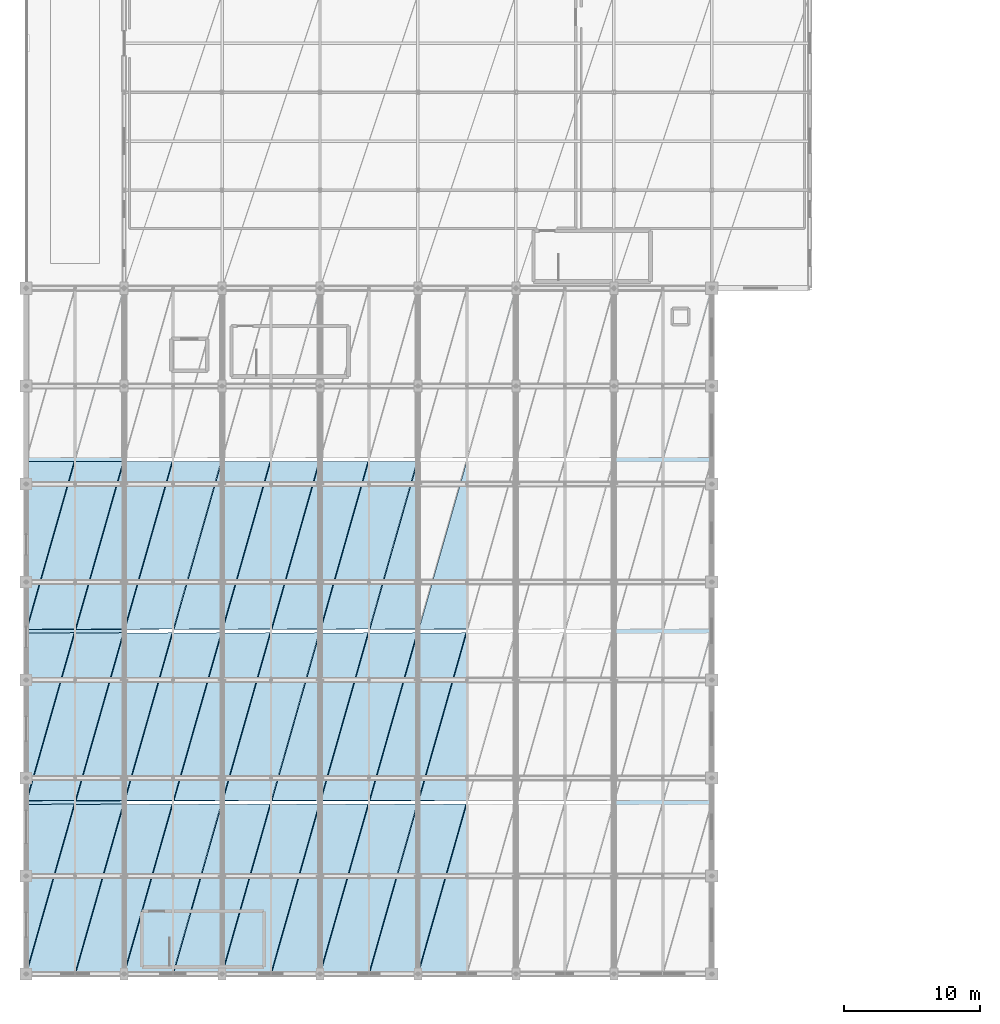
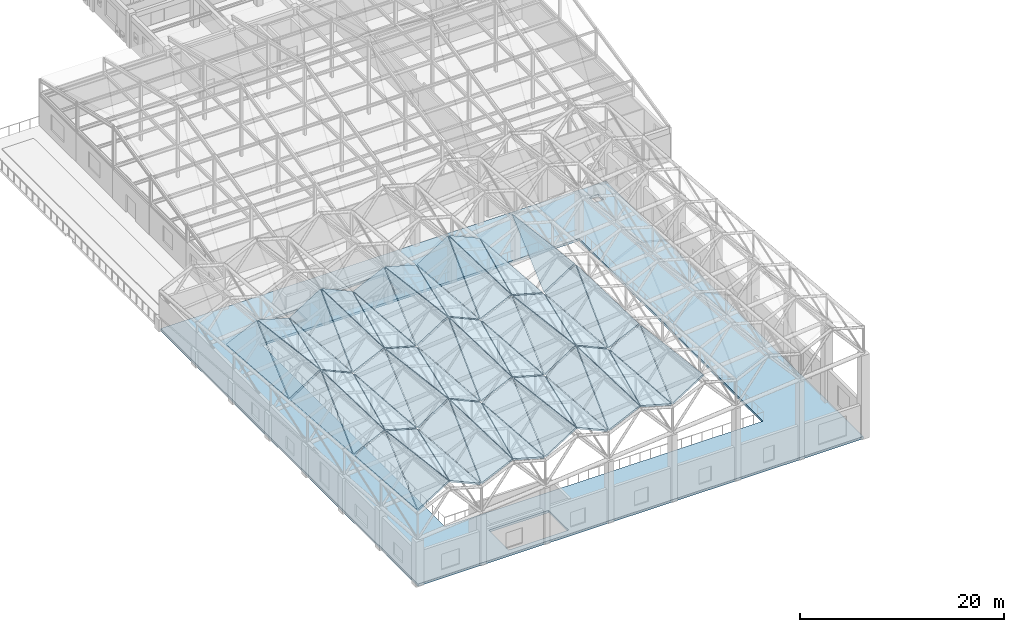
# One storey, part 65 of 113: 54 slabs.
"""IFC4 building model written with IfcOpenShell, lengths in metres."""

import ifcopenshell
import ifcopenshell.guid

model = None  # the IFC model being written
_history = None  # IfcOwnerHistory: only IFC2X3 demands one
_inside = {}  # id of a spatial element -> (the spatial element, [elements in it])
_under = {}  # id of a project, library or spatial element -> (it, [spatial elements below it])
_declared = {}  # id of a project -> (the project, [libraries it declares])
_typed = {}  # id of a type object -> (the type object, [elements of that type])
_made_of = {}  # id of a material, layer set ... -> (it, [elements and type objects made of it])


def new_model(schema):
    """Start an empty IFC model of exactly this schema.

    Asked for "IFC4X3", IfcOpenShell would pick the latest addendum, in which some entities
    have other attributes; the version numbers below select the first issue.
    IFC2X3 requires an IfcOwnerHistory on every rooted entity: one is made here for all.
    """
    global model, _history
    if schema == "IFC4X3":
        model = ifcopenshell.file(schema_version=(4, 3, 0, 0))
    else:
        model = ifcopenshell.file(schema=schema)
    _inside.clear()
    _under.clear()
    _declared.clear()
    _typed.clear()
    _made_of.clear()
    _history = None
    if model.schema == "IFC2X3":
        org = make("IfcOrganization", Name="unknown")
        user = make(
            "IfcPersonAndOrganization",
            ThePerson=make("IfcPerson", FamilyName="unknown"),
            TheOrganization=org,
        )
        app = make(
            "IfcApplication",
            ApplicationDeveloper=org,
            Version="unknown",
            ApplicationFullName="unknown",
            ApplicationIdentifier="unknown",
        )
        _history = make(
            "IfcOwnerHistory",
            OwningUser=user,
            OwningApplication=app,
            ChangeAction="ADDED",
            CreationDate=0,
        )
    return model


def make(cls, **values):
    """One entity of the class cls with the attributes given. An attribute that is None is left unset."""
    return model.create_entity(
        cls, **{name: value for name, value in values.items() if value is not None}
    )


def rooted(cls, **values):
    """An entity with a GlobalId (a new one), such as an element, a storey or a relation."""
    return make(cls, GlobalId=ifcopenshell.guid.new(), OwnerHistory=_history, **values)


def si_unit(unit_type, name, prefix=None):
    """IfcSIUnit, for example si_unit("LENGTHUNIT", "METRE", prefix="MILLI")."""
    return make("IfcSIUnit", UnitType=unit_type, Prefix=prefix, Name=name)


def assignment(units):
    """IfcUnitAssignment: the units of a project."""
    return None if units is None else make("IfcUnitAssignment", Units=units)


def point(xyz):
    """IfcCartesianPoint."""
    return None if xyz is None else make("IfcCartesianPoint", Coordinates=xyz)


def direction(xyz):
    """IfcDirection."""
    return None if xyz is None else make("IfcDirection", DirectionRatios=xyz)


def frame(location, z_axis=None, x_axis=None):
    """IfcAxis2Placement3D, a coordinate frame: its origin and axes. An axis left out is left unset."""
    return make(
        "IfcAxis2Placement3D",
        Location=point(location),
        Axis=direction(z_axis),
        RefDirection=direction(x_axis),
    )


def origin():
    """The frame at (0, 0, 0) with its axes left unset."""
    return frame((0.0, 0.0, 0.0))


def place(relative_to, where):
    """IfcLocalPlacement: puts the frame where relative to a parent placement (None: the world)."""
    return make(
        "IfcLocalPlacement", PlacementRelTo=relative_to, RelativePlacement=where
    )


def context(
    kind, dimensions, precision=None, world=None, true_north=None, identifier=None
):
    """IfcGeometricRepresentationContext, for example the 3D "Model" context."""
    return make(
        "IfcGeometricRepresentationContext",
        ContextIdentifier=identifier,
        ContextType=kind,
        CoordinateSpaceDimension=dimensions,
        Precision=precision,
        WorldCoordinateSystem=world,
        TrueNorth=true_north,
    )


def subcontext(parent, identifier, kind, view, scale=None):
    """IfcGeometricRepresentationSubContext, for example "Body" below "Model"."""
    return make(
        "IfcGeometricRepresentationSubContext",
        ContextIdentifier=identifier,
        ContextType=kind,
        ParentContext=parent,
        TargetScale=scale,
        TargetView=view,
    )


def project(units=None, contexts=None):
    """IfcProject with its units and contexts."""
    return rooted(
        "IfcProject",
        Name="project",
        RepresentationContexts=contexts,
        UnitsInContext=assignment(units),
    )


def spatial(cls, under=None, at=None, **own):
    """A site, building, storey or space (cls), placed at a placement, below another one or the project."""
    s = rooted(cls, ObjectPlacement=at, **own)
    if under is not None:
        _under.setdefault(under.id(), (under, []))[1].append(s)
    return s


def polyline(points):
    """IfcPolyline through the points."""
    return make("IfcPolyline", Points=[point(p) for p in points])


def outline(outer, holes=None, kind="AREA"):
    """IfcArbitraryClosedProfileDef: a profile drawn as a closed curve; with holes, ...WithVoids."""
    if holes is None:
        return make("IfcArbitraryClosedProfileDef", ProfileType=kind, OuterCurve=outer)
    return make(
        "IfcArbitraryProfileDefWithVoids",
        ProfileType=kind,
        OuterCurve=outer,
        InnerCurves=holes,
    )


def extrude(swept, where, along, depth):
    """IfcExtrudedAreaSolid: the profile swept, set in the frame where, extruded along a direction by depth."""
    return make(
        "IfcExtrudedAreaSolid",
        SweptArea=swept,
        Position=where,
        ExtrudedDirection=direction(along),
        Depth=depth,
    )


def shape(context_of_items, identifier, shape_type, items):
    """IfcShapeRepresentation: the items that make up one representation, for example the "Body"."""
    return make(
        "IfcShapeRepresentation",
        ContextOfItems=context_of_items,
        RepresentationIdentifier=identifier,
        RepresentationType=shape_type,
        Items=items,
    )


def material(Name=None, Category=None):
    """IfcMaterial."""
    return make("IfcMaterial", Name=Name, Category=Category)


def layer(
    of_material, thickness, ventilated=None, Name=None, Category=None, Priority=None
):
    """IfcMaterialLayer: one layer of a wall or slab, of a material (None: an air gap)."""
    return make(
        "IfcMaterialLayer",
        Material=of_material,
        LayerThickness=thickness,
        IsVentilated=ventilated,
        Name=Name,
        Category=Category,
        Priority=Priority,
    )


def layer_set(layers, Name=None):
    """IfcMaterialLayerSet."""
    return make("IfcMaterialLayerSet", MaterialLayers=layers, LayerSetName=Name)


def made_of(thing, what):
    """Note that an element or type object is made of a material, layer set ...; save() writes the relation."""
    if what is not None:
        _made_of.setdefault(what.id(), (what, []))[1].append(thing)
    return thing


def type_object(cls, material=None, **own):
    """A type object (cls), such as IfcWallType, which elements share."""
    return made_of(rooted(cls, **own), material)


def element(
    cls,
    number,
    at=None,
    inside=None,
    cuts=None,
    type_object=None,
    material=None,
    context=None,
    identifier="Body",
    shape_type=None,
    held_by="IfcProductDefinitionShape",
    body=None,
    shapes=None,
    **own,
):
    """One element of the class cls, such as IfcWall. Its Tag is "e" and its number.

    at: its placement. inside: the storey or other place that contains it. cuts: it is an
    opening in that element (IfcRelVoidsElement). A single representation is given by context,
    identifier, shape_type and body (its items); several are given by shapes. held_by: the class
    of the entity that holds the representations. save() writes the other relations.
    """
    e = rooted(cls, Tag="e%d" % number, ObjectPlacement=at, **own)
    if body is not None:
        shapes = [shape(context, identifier, shape_type, body)]
    if shapes is not None:
        e.Representation = make(held_by, Representations=shapes)
    if inside is not None:
        _inside.setdefault(inside.id(), (inside, []))[1].append(e)
    if cuts is not None:
        rooted(
            "IfcRelVoidsElement", RelatingBuildingElement=cuts, RelatedOpeningElement=e
        )
    if type_object is not None:
        _typed.setdefault(type_object.id(), (type_object, []))[1].append(e)
    return made_of(e, material)


def aggregate(whole, parts):
    """IfcRelAggregates: a whole, such as a stair, and the parts it consists of."""
    return rooted("IfcRelAggregates", RelatingObject=whole, RelatedObjects=parts)


def save(model, path):
    """Write the relations noted so far, then the file.

    IfcRelAggregates (storeys below a building ...), IfcRelContainedInSpatialStructure (elements
    in a storey), IfcRelDefinesByType, IfcRelAssociatesMaterial and IfcRelDeclares: one each for
    every whole, place, type object, material and project.
    """
    for whole, parts in _under.values():
        aggregate(whole, parts)
    for where, things in _inside.values():
        rooted(
            "IfcRelContainedInSpatialStructure",
            RelatedElements=things,
            RelatingStructure=where,
        )
    for kind, things in _typed.values():
        rooted("IfcRelDefinesByType", RelatedObjects=things, RelatingType=kind)
    for what, things in _made_of.values():
        rooted("IfcRelAssociatesMaterial", RelatedObjects=things, RelatingMaterial=what)
    for by, libraries in _declared.values():
        rooted("IfcRelDeclares", RelatingContext=by, RelatedDefinitions=libraries)
    model.write(path)


model = new_model("IFC4")

# Units and contexts
model_context = context("Model", 3, precision=1e-05, world=origin(), true_north=direction((0.0, 1.0)))
body_context = subcontext(model_context, "Body", "Model", "MODEL_VIEW")
ifc_project = project(units=[si_unit("LENGTHUNIT", "METRE"), si_unit("AREAUNIT", "SQUARE_METRE"), si_unit("VOLUMEUNIT", "CUBIC_METRE"), si_unit("PLANEANGLEUNIT", "RADIAN"), si_unit("MASSUNIT", "GRAM", prefix="KILO")], contexts=[model_context])

# Site, building, storey
site_placement = place(None, origin())
site = spatial("IfcSite", under=ifc_project, at=site_placement, CompositionType="ELEMENT")
building_placement = place(site_placement, origin())
building = spatial("IfcBuilding", under=site, at=building_placement, Name="Carrowvane Square Congress Hotel", CompositionType="ELEMENT")
storey_placement = place(building_placement, frame((0.0, 0.0, 15.0)))
storey = spatial("IfcBuildingStorey", under=building, at=storey_placement, Name="L03", CompositionType="ELEMENT", Elevation=15.0)

# Slabs
ifc_material_1 = material(Name="Concrete C35/45", Category="concrete")
ifc_layer_1 = layer(ifc_material_1, 0.280029296875)
ifc_layer_set_1 = layer_set([ifc_layer_1], Name="Concrete C35/45")
slab_type_1 = type_object("IfcSlabType", Name="SLB-FLR-280", PredefinedType="FLOOR", material=ifc_layer_set_1)
slab_1_placement = place(storey_placement, frame((0.0, 0.0, -0.280029296875)))
element("IfcSlab", 1, at=slab_1_placement, inside=storey, type_object=slab_type_1, Name="L03 V1 structural slab", PredefinedType="FLOOR", context=body_context, shape_type="SweptSolid", body=[
    extrude(outline(polyline([(11.60009765625, 5.39990234375), (62.0, 5.39990234375), (62.0, 55.800048828125), (11.60009765625, 55.800048828125), (11.60009765625, 5.39990234375)]), holes=[polyline([(28.6201171875, 49.39990234375), (35.199951171875, 49.39990234375), (35.199951171875, 52.919921875), (28.6201171875, 52.919921875), (28.6201171875, 49.39990234375)]), polyline([(22.239990234375, 6.0), (29.0, 6.0), (29.0, 9.89990234375), (22.239990234375, 9.89990234375), (22.239990234375, 6.0)]), polyline([(59.199951171875, 53.199951171875), (60.199951171875, 53.199951171875), (60.199951171875, 54.199951171875), (59.199951171875, 54.199951171875), (59.199951171875, 53.199951171875)]), polyline([(22.39990234375, 49.85009765625), (24.800048828125, 49.85009765625), (24.800048828125, 51.949951171875), (22.39990234375, 51.949951171875), (22.39990234375, 49.85009765625)]), polyline([(18.800048828125, 12.60009765625), (54.800048828125, 12.60009765625), (54.800048828125, 48.60009765625), (18.800048828125, 48.60009765625), (18.800048828125, 12.60009765625)])]), origin(), (0.0, 0.0, 1.0), 0.280029296875),
])
ifc_material_2 = material(Name="Concrete C35/45", Category="concrete")
ifc_layer_2 = layer(ifc_material_2, 0.179931640625)
ifc_layer_set_2 = layer_set([ifc_layer_2], Name="Concrete C35/45")
slab_type_2 = type_object("IfcSlabType", Name="SLB-ROOF-180", PredefinedType="ROOF", material=ifc_layer_set_2)
slab_2_placement = place(storey_placement, frame((11.671875, 5.52587890625, 8.82958984375), z_axis=(-0.531743494383, 0.106679020201, 0.840159772204), x_axis=(0.845163801275, 0.003253360097, 0.534497487985)))
element("IfcSlab", 2, at=slab_2_placement, inside=storey, type_object=slab_type_2, Name="Congress Hall triangular folded roof facet 1", PredefinedType="ROOF", context=body_context, shape_type="SweptSolid", body=[
    extrude(outline(polyline([(0.0, 0.0), (4.127343415248207, -2.7755575615628914e-17), (3.3543056166493694, 12.390425413414137), (0.0, 0.0)])), origin(), (0.0, 0.0, -1.0), 0.179931640625),
])
slab_3_placement = place(storey_placement, frame((11.62060546875, 5.54345703125, 8.798095703125), z_axis=(-0.421516894235, 0.071740536967, 0.903978320111), x_axis=(0.273248099524, 0.960581089618, 0.051180527307)))
element("IfcSlab", 3, at=slab_3_placement, inside=storey, type_object=slab_type_2, Name="Congress Hall triangular folded roof facet 2", PredefinedType="ROOF", context=body_context, shape_type="SweptSolid", body=[
    extrude(outline(polyline([(0.0, 0.0), (12.836570009051577, 8.881784197001252e-16), (11.78731201180269, 3.7026417853800484), (0.0, 0.0)])), origin(), (0.0, 0.0, -1.0), 0.179931640625),
])
slab_4_placement = place(storey_placement, frame((15.27197265625, 5.52587890625, 11.0361328125), z_axis=(0.409560661072, 0.072183156665, 0.909422705235), x_axis=(0.911691296801, 0.003509449981, -0.410860880466)))
element("IfcSlab", 4, at=slab_4_placement, inside=storey, type_object=slab_type_2, Name="Congress Hall triangular folded roof facet 3", PredefinedType="ROOF", context=body_context, shape_type="SweptSolid", body=[
    extrude(outline(polyline([(0.0, 0.0), (3.826164911564658, -1.3877787807814457e-17), (4.292218825262692, 12.347789841687437), (0.0, 0.0)])), origin(), (0.0, 0.0, -1.0), 0.179931640625),
])
slab_5_placement = place(storey_placement, frame((15.220458984375, 5.54345703125, 11.054443359375), z_axis=(0.27088462528, 0.121264781026, 0.954943125359), x_axis=(0.268306130741, 0.943208007183, -0.195883831373)))
element("IfcSlab", 5, at=slab_5_placement, inside=storey, type_object=slab_type_2, Name="Congress Hall triangular folded roof facet 4", PredefinedType="ROOF", context=body_context, shape_type="SweptSolid", body=[
    extrude(outline(polyline([(0.0, 0.0), (13.073008617771787, -5.551115123125783e-16), (11.930254029931314, 3.441641680614237), (0.0, 0.0)])), origin(), (0.0, 0.0, -1.0), 0.179931640625),
])
slab_6_placement = place(storey_placement, frame((11.671875, 18.1259765625, 7.82958984375), z_axis=(-0.422398728292, 0.028764283915, 0.905953602735), x_axis=(0.90636552621, 0.003488949044, 0.422480011517)))
element("IfcSlab", 6, at=slab_6_placement, inside=storey, type_object=slab_type_2, Name="Congress Hall triangular folded roof facet 5", PredefinedType="ROOF", context=body_context, shape_type="SweptSolid", body=[
    extrude(outline(polyline([(0.0, 0.0), (3.8486473162594836, 0.0), (3.747681160685219, 12.322664812300758), (0.0, 0.0)])), origin(), (0.0, 0.0, -1.0), 0.179931640625),
])
slab_7_placement = place(storey_placement, frame((11.62060546875, 18.1435546875, 7.801513671875), z_axis=(-0.533612892254, 0.066910177212, 0.843077878613), x_axis=(0.272332716068, 0.957363134805, 0.0963883804)))
element("IfcSlab", 7, at=slab_7_placement, inside=storey, type_object=slab_type_2, Name="Congress Hall triangular folded roof facet 6", PredefinedType="ROOF", context=body_context, shape_type="SweptSolid", body=[
    extrude(outline(polyline([(0.0, 0.0), (12.87971717102639, 1.1102230246251565e-16), (11.70418021056957, 3.956805350766654), (0.0, 0.0)])), origin(), (0.0, 0.0, -1.0), 0.179931640625),
])
slab_8_placement = place(storey_placement, frame((15.27197265625, 18.1259765625, 9.4482421875), z_axis=(0.272207431351, 0.076119950617, 0.959223054058), x_axis=(0.961930371784, 0.003702839477, -0.273269553406)))
element("IfcSlab", 8, at=slab_8_placement, inside=storey, type_object=slab_type_2, Name="Congress Hall triangular folded roof facet 7", PredefinedType="ROOF", context=body_context, shape_type="SweptSolid", body=[
    extrude(outline(polyline([(0.0, 0.0), (3.626334454467859, 0.0), (3.9590951175152873, 12.351828195501033), (0.0, 0.0)])), origin(), (0.0, 0.0, -1.0), 0.179931640625),
])
slab_9_placement = place(storey_placement, frame((15.220458984375, 18.1435546875, 9.46484375), z_axis=(0.410439512356, 0.02894877565, 0.911428206216), x_axis=(0.27042851675, 0.950669079624, -0.151976045398)))
element("IfcSlab", 9, at=slab_9_placement, inside=storey, type_object=slab_type_2, Name="Congress Hall triangular folded roof facet 8", PredefinedType="ROOF", context=body_context, shape_type="SweptSolid", body=[
    extrude(outline(polyline([(0.0, 0.0), (12.970408600144543, 0.0), (11.775514245925091, 3.634482519333201), (0.0, 0.0)])), origin(), (0.0, 0.0, -1.0), 0.179931640625),
])
slab_10_placement = place(storey_placement, frame((11.671875, 30.725830078125, 6.82958984375), z_axis=(-0.531748734935, 0.106680698241, 0.840156242325), x_axis=(0.845163637151, 0.003312511456, 0.534497384189)))
element("IfcSlab", 10, at=slab_10_placement, inside=storey, type_object=slab_type_2, Name="Congress Hall triangular folded roof facet 9", PredefinedType="ROOF", context=body_context, shape_type="SweptSolid", body=[
    extrude(outline(polyline([(0.0, 0.0), (4.1273442167462004, 2.7755575615628914e-17), (3.355034342813667, 12.390228111451593), (0.0, 0.0)])), origin(), (0.0, 0.0, -1.0), 0.179931640625),
])
slab_11_placement = place(storey_placement, frame((11.62060546875, 30.74365234375, 6.798095703125), z_axis=(-0.421520984505, 0.071741807483, 0.903976312013), x_axis=(0.273248099524, 0.960581089618, 0.051180527307)))
element("IfcSlab", 11, at=slab_11_placement, inside=storey, type_object=slab_type_2, Name="Congress Hall triangular folded roof facet 10", PredefinedType="ROOF", context=body_context, shape_type="SweptSolid", body=[
    extrude(outline(polyline([(0.0, 0.0), (12.836570009051577, 6.661338147750939e-16), (11.787077494935108, 3.702576213201041), (0.0, 0.0)])), origin(), (0.0, 0.0, -1.0), 0.179931640625),
])
slab_12_placement = place(storey_placement, frame((15.27197265625, 30.725830078125, 9.0361328125), z_axis=(0.409556409244, 0.072184737399, 0.909424494576), x_axis=(0.911691090789, 0.003573257355, -0.410860787625)))
element("IfcSlab", 12, at=slab_12_placement, inside=storey, type_object=slab_type_2, Name="Congress Hall triangular folded roof facet 11", PredefinedType="ROOF", context=body_context, shape_type="SweptSolid", body=[
    extrude(outline(polyline([(0.0, 0.0), (3.826165776152956, -2.7755575615628914e-17), (4.293004646202703, 12.347516654214356), (0.0, 0.0)])), origin(), (0.0, 0.0, -1.0), 0.179931640625),
])
slab_13_placement = place(storey_placement, frame((15.220458984375, 30.74365234375, 9.054443359375), z_axis=(0.270876672681, 0.121267441557, 0.954945043348), x_axis=(0.268306130741, 0.943208007183, -0.195883831373)))
element("IfcSlab", 13, at=slab_13_placement, inside=storey, type_object=slab_type_2, Name="Congress Hall triangular folded roof facet 12", PredefinedType="ROOF", context=body_context, shape_type="SweptSolid", body=[
    extrude(outline(polyline([(0.0, 0.0), (13.073008617771787, 0.0), (11.930023754538935, 3.44156617316997), (0.0, 0.0)])), origin(), (0.0, 0.0, -1.0), 0.179931640625),
])
slab_14_placement = place(storey_placement, frame((18.871826171875, 5.52587890625, 9.486572265625), z_axis=(-0.422450818863, 0.028763612696, 0.905929335118), x_axis=(0.906341234582, 0.003488855536, 0.422532122309)))
element("IfcSlab", 14, at=slab_14_placement, inside=storey, type_object=slab_type_2, Name="Congress Hall triangular folded roof facet 17", PredefinedType="ROOF", context=body_context, shape_type="SweptSolid", body=[
    extrude(outline(polyline([(0.0, 0.0), (3.8487504671548116, 6.938893903907228e-18), (3.7477627808212954, 12.32266463586897), (0.0, 0.0)])), origin(), (0.0, 0.0, -1.0), 0.179931640625),
])
slab_15_placement = place(storey_placement, frame((18.820556640625, 5.54345703125, 9.458740234375), z_axis=(-0.533612892254, 0.066910177212, 0.843077878613), x_axis=(0.272332716068, 0.957363134805, 0.0963883804)))
element("IfcSlab", 15, at=slab_15_placement, inside=storey, type_object=slab_type_2, Name="Congress Hall triangular folded roof facet 18", PredefinedType="ROOF", context=body_context, shape_type="SweptSolid", body=[
    extrude(outline(polyline([(0.0, 0.0), (12.87971717102639, 1.1102230246251565e-16), (11.70418021056957, 3.956805350766654), (0.0, 0.0)])), origin(), (0.0, 0.0, -1.0), 0.179931640625),
])
slab_16_placement = place(storey_placement, frame((22.471923828125, 5.52587890625, 11.105224609375), z_axis=(0.272145266707, 0.076121446072, 0.959240574234), x_axis=(0.961948067395, 0.003702907594, -0.273207254863)))
element("IfcSlab", 16, at=slab_16_placement, inside=storey, type_object=slab_type_2, Name="Congress Hall triangular folded roof facet 19", PredefinedType="ROOF", context=body_context, shape_type="SweptSolid", body=[
    extrude(outline(polyline([(0.0, 0.0), (3.62626774587303, -1.3877787807814457e-17), (3.9589683553560544, 12.351829813209688), (0.0, 0.0)])), origin(), (0.0, 0.0, -1.0), 0.179931640625),
])
slab_17_placement = place(storey_placement, frame((22.42041015625, 5.54345703125, 11.121826171875), z_axis=(0.410516841291, 0.028921350213, 0.911394249772), x_axis=(0.27042851675, 0.950669079624, -0.151976045398)))
element("IfcSlab", 17, at=slab_17_placement, inside=storey, type_object=slab_type_2, Name="Congress Hall triangular folded roof facet 20", PredefinedType="ROOF", context=body_context, shape_type="SweptSolid", body=[
    extrude(outline(polyline([(0.0, 0.0), (12.970408600144543, -4.440892098500626e-16), (11.77554316498548, 3.6343632703424156), (0.0, 0.0)])), origin(), (0.0, 0.0, -1.0), 0.179931640625),
])
slab_18_placement = place(storey_placement, frame((18.871826171875, 18.1259765625, 8.486572265625), z_axis=(-0.531784764168, 0.10669223498, 0.840131972724), x_axis=(0.845137079861, 0.003253257236, 0.534539738991)))
element("IfcSlab", 18, at=slab_18_placement, inside=storey, type_object=slab_type_2, Name="Congress Hall triangular folded roof facet 21", PredefinedType="ROOF", context=body_context, shape_type="SweptSolid", body=[
    extrude(outline(polyline([(0.0, 0.0), (4.12747391295666, 5.551115123125783e-17), (3.3542382658303724, 12.390443646266414), (0.0, 0.0)])), origin(), (0.0, 0.0, -1.0), 0.179931640625),
])
slab_19_placement = place(storey_placement, frame((18.820556640625, 18.1435546875, 8.455322265625), z_axis=(-0.421464867777, 0.071742351573, 0.904002433747), x_axis=(0.273248365457, 0.960582024485, 0.051161557951)))
element("IfcSlab", 19, at=slab_19_placement, inside=storey, type_object=slab_type_2, Name="Congress Hall triangular folded roof facet 22", PredefinedType="ROOF", context=body_context, shape_type="SweptSolid", body=[
    extrude(outline(polyline([(0.0, 0.0), (12.836557516121248, -3.3306690738754696e-16), (11.78734190374943, 3.702546623412477), (0.0, 0.0)])), origin(), (0.0, 0.0, -1.0), 0.179931640625),
])
slab_20_placement = place(storey_placement, frame((22.471923828125, 18.1259765625, 10.693359375), z_axis=(0.409614225753, 0.072163242073, 0.90940016085), x_axis=(0.911667394726, 0.003509357972, -0.410913915316)))
element("IfcSlab", 20, at=slab_20_placement, inside=storey, type_object=slab_type_2, Name="Congress Hall triangular folded roof facet 23", PredefinedType="ROOF", context=body_context, shape_type="SweptSolid", body=[
    extrude(outline(polyline([(0.0, 0.0), (3.8262652258708685, 1.3877787807814457e-17), (4.292269534272022, 12.347772214597219), (0.0, 0.0)])), origin(), (0.0, 0.0, -1.0), 0.179931640625),
])
slab_21_placement = place(storey_placement, frame((22.42041015625, 18.1435546875, 10.711669921875), z_axis=(0.270964327361, 0.121256537275, 0.95492155985), x_axis=(0.268305149192, 0.943204556628, -0.195901789867)))
element("IfcSlab", 21, at=slab_21_placement, inside=storey, type_object=slab_type_2, Name="Congress Hall triangular folded roof facet 24", PredefinedType="ROOF", context=body_context, shape_type="SweptSolid", body=[
    extrude(outline(polyline([(0.0, 0.0), (13.073056443165006, -2.220446049250313e-16), (11.930305201522705, 3.4414656691724197), (0.0, 0.0)])), origin(), (0.0, 0.0, -1.0), 0.179931640625),
])
slab_22_placement = place(storey_placement, frame((18.871826171875, 30.725830078125, 7.486572265625), z_axis=(-0.422452467599, 0.028764161029, 0.905928548871), x_axis=(0.906341032175, 0.00355228848, 0.422532027948)))
element("IfcSlab", 22, at=slab_22_placement, inside=storey, type_object=slab_type_2, Name="Congress Hall triangular folded roof facet 25", PredefinedType="ROOF", context=body_context, shape_type="SweptSolid", body=[
    extrude(outline(polyline([(0.0, 0.0), (3.848751326669462, 0.0), (3.748544117591787, 12.322426976366023), (0.0, 0.0)])), origin(), (0.0, 0.0, -1.0), 0.179931640625),
])
slab_23_placement = place(storey_placement, frame((18.820556640625, 30.74365234375, 7.458740234375), z_axis=(-0.533616197888, 0.066911337459, 0.843075694272), x_axis=(0.272332716068, 0.957363134805, 0.0963883804)))
element("IfcSlab", 23, at=slab_23_placement, inside=storey, type_object=slab_type_2, Name="Congress Hall triangular folded roof facet 26", PredefinedType="ROOF", context=body_context, shape_type="SweptSolid", body=[
    extrude(outline(polyline([(0.0, 0.0), (12.87971717102639, -4.440892098500626e-16), (11.703946479335487, 3.9567367395281603), (0.0, 0.0)])), origin(), (0.0, 0.0, -1.0), 0.179931640625),
])
slab_24_placement = place(storey_placement, frame((22.471923828125, 30.725830078125, 9.105224609375), z_axis=(0.272140296693, 0.076123064974, 0.959241855788), x_axis=(0.961947825401, 0.003770232238, -0.273207186134)))
element("IfcSlab", 24, at=slab_24_placement, inside=storey, type_object=slab_type_2, Name="Congress Hall triangular folded roof facet 27", PredefinedType="ROOF", context=body_context, shape_type="SweptSolid", body=[
    extrude(outline(polyline([(0.0, 0.0), (3.6262686581215453, 2.7755575615628914e-17), (3.959797521893202, 12.351564020755218), (0.0, 0.0)])), origin(), (0.0, 0.0, -1.0), 0.179931640625),
])
slab_25_placement = place(storey_placement, frame((22.42041015625, 30.74365234375, 9.121826171875), z_axis=(0.410515149399, 0.028921950273, 0.911394992803), x_axis=(0.27042851675, 0.950669079624, -0.151976045398)))
element("IfcSlab", 25, at=slab_25_placement, inside=storey, type_object=slab_type_2, Name="Congress Hall triangular folded roof facet 28", PredefinedType="ROOF", context=body_context, shape_type="SweptSolid", body=[
    extrude(outline(polyline([(0.0, 0.0), (12.970408600144543, -1.1102230246251565e-16), (11.775311068042214, 3.6342878661204545), (0.0, 0.0)])), origin(), (0.0, 0.0, -1.0), 0.179931640625),
])
slab_26_placement = place(storey_placement, frame((26.072021484375, 5.52587890625, 10.143798828125), z_axis=(-0.531769616654, 0.106687384656, 0.840142176515), x_axis=(0.845146900391, 0.003253522749, 0.534524210256)))
element("IfcSlab", 26, at=slab_26_placement, inside=storey, type_object=slab_type_2, Name="Congress Hall triangular folded roof facet 33", PredefinedType="ROOF", context=body_context, shape_type="SweptSolid", body=[
    extrude(outline(polyline([(0.0, 0.0), (4.127137078492581, 0.0), (3.3542658255326585, 12.390436185499206), (0.0, 0.0)])), origin(), (0.0, 0.0, -1.0), 0.179931640625),
])
slab_27_placement = place(storey_placement, frame((26.0205078125, 5.54345703125, 10.112548828125), z_axis=(-0.421464867777, 0.071742351573, 0.904002433747), x_axis=(0.273248365457, 0.960582024485, 0.051161557951)))
element("IfcSlab", 27, at=slab_27_placement, inside=storey, type_object=slab_type_2, Name="Congress Hall triangular folded roof facet 34", PredefinedType="ROOF", context=body_context, shape_type="SweptSolid", body=[
    extrude(outline(polyline([(0.0, 0.0), (12.836557516121248, -3.3306690738754696e-16), (11.78734190374943, 3.702546623412477), (0.0, 0.0)])), origin(), (0.0, 0.0, -1.0), 0.179931640625),
])
slab_28_placement = place(storey_placement, frame((29.671875, 5.52587890625, 12.3505859375), z_axis=(0.409613635124, 0.072181175744, 0.909399003622), x_axis=(0.911667394726, 0.003509357972, -0.410913915316)))
element("IfcSlab", 28, at=slab_28_placement, inside=storey, type_object=slab_type_2, Name="Congress Hall triangular folded roof facet 35", PredefinedType="ROOF", context=body_context, shape_type="SweptSolid", body=[
    extrude(outline(polyline([(0.0, 0.0), (3.8262652258708685, 1.3877787807814457e-17), (4.292369855052129, 12.347787927382317), (0.0, 0.0)])), origin(), (0.0, 0.0, -1.0), 0.179931640625),
])
slab_29_placement = place(storey_placement, frame((29.62060546875, 5.54345703125, 12.368896484375), z_axis=(0.27094655846, 0.121262482228, 0.954925846787), x_axis=(0.268305149192, 0.943204556628, -0.195901789867)))
element("IfcSlab", 29, at=slab_29_placement, inside=storey, type_object=slab_type_2, Name="Congress Hall triangular folded roof facet 36", PredefinedType="ROOF", context=body_context, shape_type="SweptSolid", body=[
    extrude(outline(polyline([(0.0, 0.0), (13.073056443165006, -3.3306690738754696e-16), (11.93023969733589, 3.4416913633480273), (0.0, 0.0)])), origin(), (0.0, 0.0, -1.0), 0.179931640625),
])
slab_30_placement = place(storey_placement, frame((26.072021484375, 18.1259765625, 9.143798828125), z_axis=(-0.422423103739, 0.028754395323, 0.905942551257), x_axis=(0.906354201911, 0.003489149654, 0.422504303544)))
element("IfcSlab", 30, at=slab_30_placement, inside=storey, type_object=slab_type_2, Name="Congress Hall triangular folded roof facet 37", PredefinedType="ROOF", context=body_context, shape_type="SweptSolid", body=[
    extrude(outline(polyline([(0.0, 0.0), (3.8484260369957575, 6.938893903907228e-18), (3.7477772807943444, 12.322660225899554), (0.0, 0.0)])), origin(), (0.0, 0.0, -1.0), 0.179931640625),
])
slab_31_placement = place(storey_placement, frame((26.0205078125, 18.1435546875, 9.115966796875), z_axis=(-0.533612892254, 0.066910177212, 0.843077878613), x_axis=(0.272332716068, 0.957363134805, 0.0963883804)))
element("IfcSlab", 31, at=slab_31_placement, inside=storey, type_object=slab_type_2, Name="Congress Hall triangular folded roof facet 38", PredefinedType="ROOF", context=body_context, shape_type="SweptSolid", body=[
    extrude(outline(polyline([(0.0, 0.0), (12.87971717102639, 1.1102230246251565e-16), (11.70418021056957, 3.956805350766654), (0.0, 0.0)])), origin(), (0.0, 0.0, -1.0), 0.179931640625),
])
slab_32_placement = place(storey_placement, frame((29.671875, 18.1259765625, 10.762451171875), z_axis=(0.272144805005, 0.076140350801, 0.959239204833), x_axis=(0.961948067395, 0.003702907594, -0.273207254863)))
element("IfcSlab", 32, at=slab_32_placement, inside=storey, type_object=slab_type_2, Name="Congress Hall triangular folded roof facet 39", PredefinedType="ROOF", context=body_context, shape_type="SweptSolid", body=[
    extrude(outline(polyline([(0.0, 0.0), (3.62626774587303, -1.3877787807814457e-17), (3.9590350563460115, 12.351847446569725), (0.0, 0.0)])), origin(), (0.0, 0.0, -1.0), 0.179931640625),
])
slab_33_placement = place(storey_placement, frame((29.62060546875, 18.1435546875, 10.779052734375), z_axis=(0.410492827908, 0.028929866933, 0.911404795376), x_axis=(0.27042851675, 0.950669079624, -0.151976045398)))
element("IfcSlab", 33, at=slab_33_placement, inside=storey, type_object=slab_type_2, Name="Congress Hall triangular folded roof facet 40", PredefinedType="ROOF", context=body_context, shape_type="SweptSolid", body=[
    extrude(outline(polyline([(0.0, 0.0), (12.970408600144543, -3.3306690738754696e-16), (11.775477142398383, 3.6345758766278315), (0.0, 0.0)])), origin(), (0.0, 0.0, -1.0), 0.179931640625),
])
slab_34_placement = place(storey_placement, frame((26.072021484375, 30.725830078125, 8.143798828125), z_axis=(-0.531774857761, 0.106689062887, 0.840138646006), x_axis=(0.845146736253, 0.003312677065, 0.534524106445)))
element("IfcSlab", 34, at=slab_34_placement, inside=storey, type_object=slab_type_2, Name="Congress Hall triangular folded roof facet 41", PredefinedType="ROOF", context=body_context, shape_type="SweptSolid", body=[
    extrude(outline(polyline([(0.0, 0.0), (4.127137880030645, 2.7755575615628914e-17), (3.3549945881048626, 12.390238876190063), (0.0, 0.0)])), origin(), (0.0, 0.0, -1.0), 0.179931640625),
])
slab_35_placement = place(storey_placement, frame((26.0205078125, 30.74365234375, 8.112548828125), z_axis=(-0.421468958374, 0.071743622136, 0.90400042578), x_axis=(0.273248365457, 0.960582024485, 0.051161557951)))
element("IfcSlab", 35, at=slab_35_placement, inside=storey, type_object=slab_type_2, Name="Congress Hall triangular folded roof facet 42", PredefinedType="ROOF", context=body_context, shape_type="SweptSolid", body=[
    extrude(outline(polyline([(0.0, 0.0), (12.836557516121248, -5.551115123125783e-16), (11.78710738665361, 3.702481052168104), (0.0, 0.0)])), origin(), (0.0, 0.0, -1.0), 0.179931640625),
])
slab_36_placement = place(storey_placement, frame((29.671875, 30.725830078125, 10.3505859375), z_axis=(0.409609383629, 0.072182756449, 0.909400793113), x_axis=(0.91166718873, 0.003573163674, -0.410913822468)))
element("IfcSlab", 36, at=slab_36_placement, inside=storey, type_object=slab_type_2, Name="Congress Hall triangular folded roof facet 43", PredefinedType="ROOF", context=body_context, shape_type="SweptSolid", body=[
    extrude(outline(polyline([(0.0, 0.0), (3.8262660904365005, 0.0), (4.293155655381355, 12.347514737421287), (0.0, 0.0)])), origin(), (0.0, 0.0, -1.0), 0.179931640625),
])
slab_37_placement = place(storey_placement, frame((29.62060546875, 30.74365234375, 10.368896484375), z_axis=(0.270938606281, 0.121265142768, 0.954927765214), x_axis=(0.268305149192, 0.943204556628, -0.195901789867)))
element("IfcSlab", 37, at=slab_37_placement, inside=storey, type_object=slab_type_2, Name="Congress Hall triangular folded roof facet 44", PredefinedType="ROOF", context=body_context, shape_type="SweptSolid", body=[
    extrude(outline(polyline([(0.0, 0.0), (13.073056443165006, -6.661338147750939e-16), (11.930009422785933, 3.4416158531146297), (0.0, 0.0)])), origin(), (0.0, 0.0, -1.0), 0.179931640625),
])
slab_38_placement = place(storey_placement, frame((33.27197265625, 5.52587890625, 10.801025390625), z_axis=(-0.422398728292, 0.028764283915, 0.905953602735), x_axis=(0.90636552621, 0.003488949044, 0.422480011517)))
element("IfcSlab", 38, at=slab_38_placement, inside=storey, type_object=slab_type_2, Name="Congress Hall triangular folded roof facet 49", PredefinedType="ROOF", context=body_context, shape_type="SweptSolid", body=[
    extrude(outline(polyline([(0.0, 0.0), (3.8486473162594836, 0.0), (3.747681160685219, 12.322664812300758), (0.0, 0.0)])), origin(), (0.0, 0.0, -1.0), 0.179931640625),
])
slab_39_placement = place(storey_placement, frame((33.220458984375, 5.54345703125, 10.77294921875), z_axis=(-0.533612892254, 0.066910177212, 0.843077878613), x_axis=(0.272332716068, 0.957363134805, 0.0963883804)))
element("IfcSlab", 39, at=slab_39_placement, inside=storey, type_object=slab_type_2, Name="Congress Hall triangular folded roof facet 50", PredefinedType="ROOF", context=body_context, shape_type="SweptSolid", body=[
    extrude(outline(polyline([(0.0, 0.0), (12.87971717102639, 1.1102230246251565e-16), (11.70418021056957, 3.956805350766654), (0.0, 0.0)])), origin(), (0.0, 0.0, -1.0), 0.179931640625),
])
slab_40_placement = place(storey_placement, frame((36.871826171875, 5.52587890625, 12.419677734375), z_axis=(0.272207431351, 0.076119950617, 0.959223054058), x_axis=(0.961930371784, 0.003702839477, -0.273269553406)))
element("IfcSlab", 40, at=slab_40_placement, inside=storey, type_object=slab_type_2, Name="Congress Hall triangular folded roof facet 51", PredefinedType="ROOF", context=body_context, shape_type="SweptSolid", body=[
    extrude(outline(polyline([(0.0, 0.0), (3.626334454467859, 0.0), (3.9590951175152873, 12.351828195501033), (0.0, 0.0)])), origin(), (0.0, 0.0, -1.0), 0.179931640625),
])
slab_41_placement = place(storey_placement, frame((36.820556640625, 5.54345703125, 12.436279296875), z_axis=(0.410439512356, 0.02894877565, 0.911428206216), x_axis=(0.27042851675, 0.950669079624, -0.151976045398)))
element("IfcSlab", 41, at=slab_41_placement, inside=storey, type_object=slab_type_2, Name="Congress Hall triangular folded roof facet 52", PredefinedType="ROOF", context=body_context, shape_type="SweptSolid", body=[
    extrude(outline(polyline([(0.0, 0.0), (12.970408600144543, 0.0), (11.775514245925091, 3.634482519333201), (0.0, 0.0)])), origin(), (0.0, 0.0, -1.0), 0.179931640625),
])
slab_42_placement = place(storey_placement, frame((33.27197265625, 18.1259765625, 9.801025390625), z_axis=(-0.531743494383, 0.106679020201, 0.840159772204), x_axis=(0.845163801275, 0.003253360097, 0.534497487985)))
element("IfcSlab", 42, at=slab_42_placement, inside=storey, type_object=slab_type_2, Name="Congress Hall triangular folded roof facet 53", PredefinedType="ROOF", context=body_context, shape_type="SweptSolid", body=[
    extrude(outline(polyline([(0.0, 0.0), (4.127343415248207, -2.7755575615628914e-17), (3.3543056166493694, 12.390425413414137), (0.0, 0.0)])), origin(), (0.0, 0.0, -1.0), 0.179931640625),
])
slab_43_placement = place(storey_placement, frame((33.220458984375, 18.1435546875, 9.76953125), z_axis=(-0.421516894235, 0.071740536967, 0.903978320111), x_axis=(0.273248099524, 0.960581089618, 0.051180527307)))
element("IfcSlab", 43, at=slab_43_placement, inside=storey, type_object=slab_type_2, Name="Congress Hall triangular folded roof facet 54", PredefinedType="ROOF", context=body_context, shape_type="SweptSolid", body=[
    extrude(outline(polyline([(0.0, 0.0), (12.836570009051577, 8.881784197001252e-16), (11.78731201180269, 3.7026417853800484), (0.0, 0.0)])), origin(), (0.0, 0.0, -1.0), 0.179931640625),
])
slab_44_placement = place(storey_placement, frame((36.871826171875, 18.1259765625, 12.007568359375), z_axis=(0.409560661072, 0.072183156665, 0.909422705235), x_axis=(0.911691296801, 0.003509449981, -0.410860880466)))
element("IfcSlab", 44, at=slab_44_placement, inside=storey, type_object=slab_type_2, Name="Congress Hall triangular folded roof facet 55", PredefinedType="ROOF", context=body_context, shape_type="SweptSolid", body=[
    extrude(outline(polyline([(0.0, 0.0), (3.826164911564658, -1.3877787807814457e-17), (4.292218825262692, 12.347789841687437), (0.0, 0.0)])), origin(), (0.0, 0.0, -1.0), 0.179931640625),
])
slab_45_placement = place(storey_placement, frame((36.820556640625, 18.1435546875, 12.02587890625), z_axis=(0.27088462528, 0.121264781026, 0.954943125359), x_axis=(0.268306130741, 0.943208007183, -0.195883831373)))
element("IfcSlab", 45, at=slab_45_placement, inside=storey, type_object=slab_type_2, Name="Congress Hall triangular folded roof facet 56", PredefinedType="ROOF", context=body_context, shape_type="SweptSolid", body=[
    extrude(outline(polyline([(0.0, 0.0), (13.073008617771787, -5.551115123125783e-16), (11.930254029931314, 3.441641680614237), (0.0, 0.0)])), origin(), (0.0, 0.0, -1.0), 0.179931640625),
])
slab_46_placement = place(storey_placement, frame((33.27197265625, 30.725830078125, 8.801025390625), z_axis=(-0.422400377155, 0.028764832263, 0.905952816544), x_axis=(0.906365323787, 0.003552383688, 0.422479917163)))
element("IfcSlab", 46, at=slab_46_placement, inside=storey, type_object=slab_type_2, Name="Congress Hall triangular folded roof facet 57", PredefinedType="ROOF", context=body_context, shape_type="SweptSolid", body=[
    extrude(outline(polyline([(0.0, 0.0), (3.8486481757971713, -6.938893903907228e-18), (3.7484625183927744, 12.322427151607537), (0.0, 0.0)])), origin(), (0.0, 0.0, -1.0), 0.179931640625),
])
slab_47_placement = place(storey_placement, frame((33.220458984375, 30.74365234375, 8.77294921875), z_axis=(-0.533616197888, 0.066911337459, 0.843075694272), x_axis=(0.272332716068, 0.957363134805, 0.0963883804)))
element("IfcSlab", 47, at=slab_47_placement, inside=storey, type_object=slab_type_2, Name="Congress Hall triangular folded roof facet 58", PredefinedType="ROOF", context=body_context, shape_type="SweptSolid", body=[
    extrude(outline(polyline([(0.0, 0.0), (12.87971717102639, -4.440892098500626e-16), (11.703946479335487, 3.9567367395281603), (0.0, 0.0)])), origin(), (0.0, 0.0, -1.0), 0.179931640625),
])
slab_48_placement = place(storey_placement, frame((36.871826171875, 30.725830078125, 10.419677734375), z_axis=(0.272202461608, 0.07612156951, 0.959224335883), x_axis=(0.961930129803, 0.003770162883, -0.273269484663)))
element("IfcSlab", 48, at=slab_48_placement, inside=storey, type_object=slab_type_2, Name="Congress Hall triangular folded roof facet 59", PredefinedType="ROOF", context=body_context, shape_type="SweptSolid", body=[
    extrude(outline(polyline([(0.0, 0.0), (3.626335366699594, 0.0), (3.95992426878586, 12.351562399396624), (0.0, 0.0)])), origin(), (0.0, 0.0, -1.0), 0.179931640625),
])
slab_49_placement = place(storey_placement, frame((36.820556640625, 30.74365234375, 10.436279296875), z_axis=(0.410437818844, 0.028949376254, 0.911428949769), x_axis=(0.27042851675, 0.950669079624, -0.151976045398)))
element("IfcSlab", 49, at=slab_49_placement, inside=storey, type_object=slab_type_2, Name="Congress Hall triangular folded roof facet 60", PredefinedType="ROOF", context=body_context, shape_type="SweptSolid", body=[
    extrude(outline(polyline([(0.0, 0.0), (12.970408600144543, 1.1102230246251565e-16), (11.775282148981825, 3.6344071157385374), (0.0, 0.0)])), origin(), (0.0, 0.0, -1.0), 0.179931640625),
])
slab_50_placement = place(storey_placement, frame((40.471923828125, 5.52587890625, 11.4580078125), z_axis=(-0.531784764168, 0.10669223498, 0.840131972724), x_axis=(0.845137079861, 0.003253257236, 0.534539738991)))
element("IfcSlab", 50, at=slab_50_placement, inside=storey, type_object=slab_type_2, Name="Congress Hall triangular folded roof facet 65", PredefinedType="ROOF", context=body_context, shape_type="SweptSolid", body=[
    extrude(outline(polyline([(0.0, 0.0), (4.12747391295666, 5.551115123125783e-17), (3.3542382658303724, 12.390443646266414), (0.0, 0.0)])), origin(), (0.0, 0.0, -1.0), 0.179931640625),
])
slab_51_placement = place(storey_placement, frame((40.42041015625, 5.54345703125, 11.4267578125), z_axis=(-0.421488899626, 0.071749816021, 0.903990636784), x_axis=(0.273248365457, 0.960582024485, 0.051161557951)))
element("IfcSlab", 51, at=slab_51_placement, inside=storey, type_object=slab_type_2, Name="Congress Hall triangular folded roof facet 66", PredefinedType="ROOF", context=body_context, shape_type="SweptSolid", body=[
    extrude(outline(polyline([(0.0, 0.0), (12.836557516121248, -2.7755575615628914e-16), (11.787408614776155, 3.7023355169230454), (0.0, 0.0)])), origin(), (0.0, 0.0, -1.0), 0.179931640625),
])
slab_52_placement = place(storey_placement, frame((40.471923828125, 18.1259765625, 10.4580078125), z_axis=(-0.422450818863, 0.028763612696, 0.905929335118), x_axis=(0.906341234582, 0.003488855536, 0.422532122309)))
element("IfcSlab", 52, at=slab_52_placement, inside=storey, type_object=slab_type_2, Name="Congress Hall triangular folded roof facet 69", PredefinedType="ROOF", context=body_context, shape_type="SweptSolid", body=[
    extrude(outline(polyline([(0.0, 0.0), (3.8487504671548116, 6.938893903907228e-18), (3.7477627808212954, 12.32266463586897), (0.0, 0.0)])), origin(), (0.0, 0.0, -1.0), 0.179931640625),
])
slab_53_placement = place(storey_placement, frame((40.42041015625, 18.1435546875, 10.43017578125), z_axis=(-0.533639255483, 0.066919430516, 0.843060457397), x_axis=(0.272332716068, 0.957363134805, 0.0963883804)))
element("IfcSlab", 53, at=slab_53_placement, inside=storey, type_object=slab_type_2, Name="Congress Hall triangular folded roof facet 70", PredefinedType="ROOF", context=body_context, shape_type="SweptSolid", body=[
    extrude(outline(polyline([(0.0, 0.0), (12.87971717102639, -3.3306690738754696e-16), (11.704246698049078, 3.956609873830084), (0.0, 0.0)])), origin(), (0.0, 0.0, -1.0), 0.179931640625),
])
slab_54_placement = place(storey_placement, frame((40.471923828125, 30.725830078125, 9.4580078125), z_axis=(-0.531790005017, 0.106693913136, 0.840128442242), x_axis=(0.845136915753, 0.003312406725, 0.534539635194)))
element("IfcSlab", 54, at=slab_54_placement, inside=storey, type_object=slab_type_2, Name="Congress Hall triangular folded roof facet 73", PredefinedType="ROOF", context=body_context, shape_type="SweptSolid", body=[
    extrude(outline(polyline([(0.0, 0.0), (4.127474714429312, -5.551115123125783e-17), (3.354966968988328, 12.390246354784948), (0.0, 0.0)])), origin(), (0.0, 0.0, -1.0), 0.179931640625),
])

save(model, "model.ifc")
